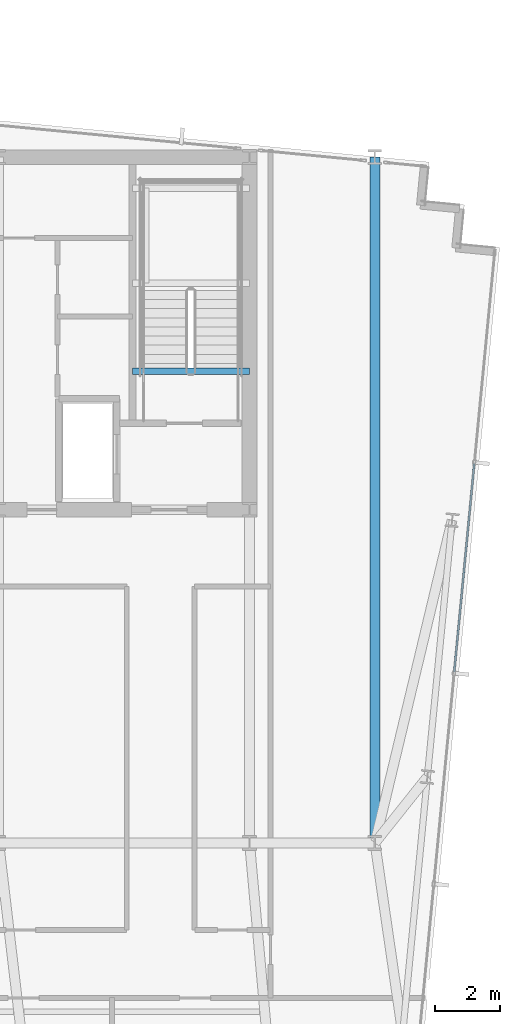
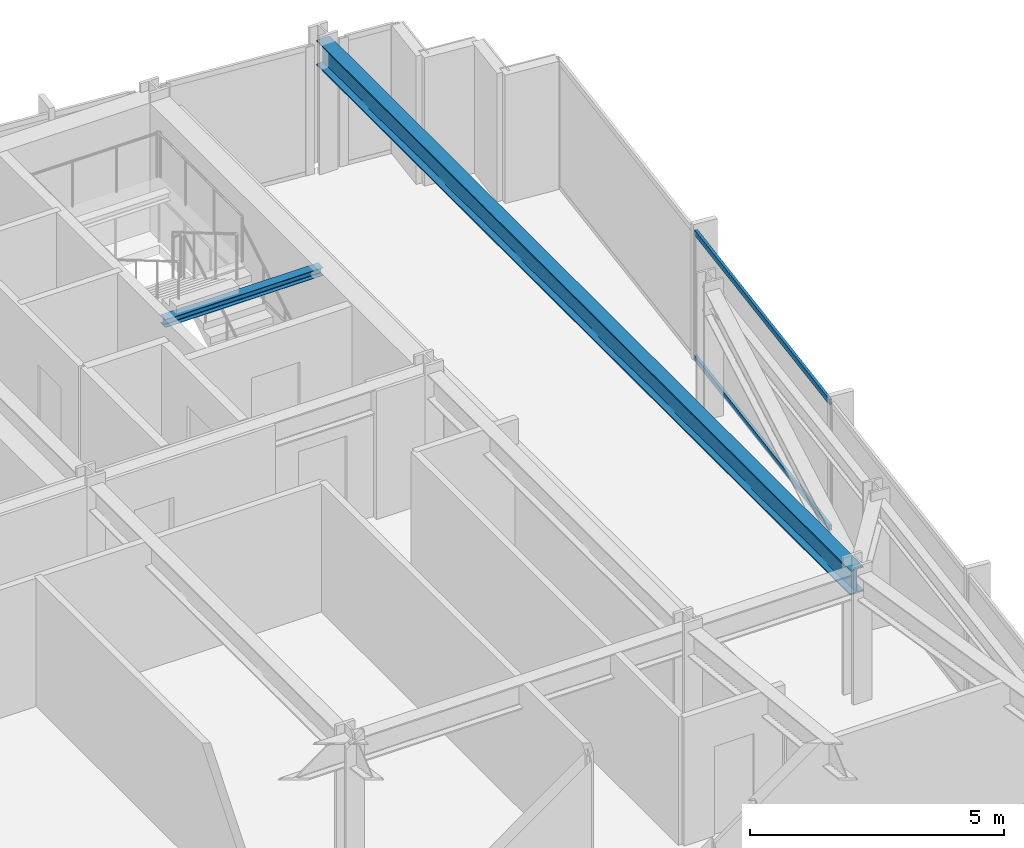
# One storey, part 19 of 38: 2 beams, 2 members, 1 element without a shape of its own.
"""IFC4 building model written with IfcOpenShell, lengths in metres."""

import ifcopenshell
import ifcopenshell.guid

model = None  # the IFC model being written
_history = None  # IfcOwnerHistory: only IFC2X3 demands one
_inside = {}  # id of a spatial element -> (the spatial element, [elements in it])
_under = {}  # id of a project, library or spatial element -> (it, [spatial elements below it])
_declared = {}  # id of a project -> (the project, [libraries it declares])
_typed = {}  # id of a type object -> (the type object, [elements of that type])
_made_of = {}  # id of a material, layer set ... -> (it, [elements and type objects made of it])


def new_model(schema):
    """Start an empty IFC model of exactly this schema.

    Asked for "IFC4X3", IfcOpenShell would pick the latest addendum, in which some entities
    have other attributes; the version numbers below select the first issue.
    IFC2X3 requires an IfcOwnerHistory on every rooted entity: one is made here for all.
    """
    global model, _history
    if schema == "IFC4X3":
        model = ifcopenshell.file(schema_version=(4, 3, 0, 0))
    else:
        model = ifcopenshell.file(schema=schema)
    _inside.clear()
    _under.clear()
    _declared.clear()
    _typed.clear()
    _made_of.clear()
    _history = None
    if model.schema == "IFC2X3":
        org = make("IfcOrganization", Name="unknown")
        user = make(
            "IfcPersonAndOrganization",
            ThePerson=make("IfcPerson", FamilyName="unknown"),
            TheOrganization=org,
        )
        app = make(
            "IfcApplication",
            ApplicationDeveloper=org,
            Version="unknown",
            ApplicationFullName="unknown",
            ApplicationIdentifier="unknown",
        )
        _history = make(
            "IfcOwnerHistory",
            OwningUser=user,
            OwningApplication=app,
            ChangeAction="ADDED",
            CreationDate=0,
        )
    return model


def make(cls, **values):
    """One entity of the class cls with the attributes given. An attribute that is None is left unset."""
    return model.create_entity(
        cls, **{name: value for name, value in values.items() if value is not None}
    )


def rooted(cls, **values):
    """An entity with a GlobalId (a new one), such as an element, a storey or a relation."""
    return make(cls, GlobalId=ifcopenshell.guid.new(), OwnerHistory=_history, **values)


def si_unit(unit_type, name, prefix=None):
    """IfcSIUnit, for example si_unit("LENGTHUNIT", "METRE", prefix="MILLI")."""
    return make("IfcSIUnit", UnitType=unit_type, Prefix=prefix, Name=name)


def assignment(units):
    """IfcUnitAssignment: the units of a project."""
    return None if units is None else make("IfcUnitAssignment", Units=units)


def point(xyz):
    """IfcCartesianPoint."""
    return None if xyz is None else make("IfcCartesianPoint", Coordinates=xyz)


def direction(xyz):
    """IfcDirection."""
    return None if xyz is None else make("IfcDirection", DirectionRatios=xyz)


def frame(location, z_axis=None, x_axis=None):
    """IfcAxis2Placement3D, a coordinate frame: its origin and axes. An axis left out is left unset."""
    return make(
        "IfcAxis2Placement3D",
        Location=point(location),
        Axis=direction(z_axis),
        RefDirection=direction(x_axis),
    )


def frame_2d(location, x_axis=None):
    """IfcAxis2Placement2D, a coordinate frame in the plane: its origin and x axis."""
    return make(
        "IfcAxis2Placement2D", Location=point(location), RefDirection=direction(x_axis)
    )


def origin():
    """The frame at (0, 0, 0) with its axes left unset."""
    return frame((0.0, 0.0, 0.0))


def origin_2d():
    """The frame at (0, 0) in the plane with its x axis left unset."""
    return frame_2d((0.0, 0.0))


def place(relative_to, where):
    """IfcLocalPlacement: puts the frame where relative to a parent placement (None: the world)."""
    return make(
        "IfcLocalPlacement", PlacementRelTo=relative_to, RelativePlacement=where
    )


def context(
    kind, dimensions, precision=None, world=None, true_north=None, identifier=None
):
    """IfcGeometricRepresentationContext, for example the 3D "Model" context."""
    return make(
        "IfcGeometricRepresentationContext",
        ContextIdentifier=identifier,
        ContextType=kind,
        CoordinateSpaceDimension=dimensions,
        Precision=precision,
        WorldCoordinateSystem=world,
        TrueNorth=true_north,
    )


def subcontext(parent, identifier, kind, view, scale=None):
    """IfcGeometricRepresentationSubContext, for example "Body" below "Model"."""
    return make(
        "IfcGeometricRepresentationSubContext",
        ContextIdentifier=identifier,
        ContextType=kind,
        ParentContext=parent,
        TargetScale=scale,
        TargetView=view,
    )


def project(units=None, contexts=None):
    """IfcProject with its units and contexts."""
    return rooted(
        "IfcProject",
        Name="project",
        RepresentationContexts=contexts,
        UnitsInContext=assignment(units),
    )


def spatial(cls, under=None, at=None, **own):
    """A site, building, storey or space (cls), placed at a placement, below another one or the project."""
    s = rooted(cls, ObjectPlacement=at, **own)
    if under is not None:
        _under.setdefault(under.id(), (under, []))[1].append(s)
    return s


def profile(cls, at=None, kind="AREA", **sizes):
    """A parametric profile (cls). Its sizes go by their IFC names, for example OverallWidth=200.0."""
    return make(cls, ProfileType=kind, Position=at, **sizes)


def hollow_rectangle(**sizes):
    """IfcRectangleHollowProfileDef."""
    return profile("IfcRectangleHollowProfileDef", **sizes)


def i_section(**sizes):
    """IfcIShapeProfileDef."""
    return profile("IfcIShapeProfileDef", **sizes)


def extrude(swept, where, along, depth):
    """IfcExtrudedAreaSolid: the profile swept, set in the frame where, extruded along a direction by depth."""
    return make(
        "IfcExtrudedAreaSolid",
        SweptArea=swept,
        Position=where,
        ExtrudedDirection=direction(along),
        Depth=depth,
    )


def shape(context_of_items, identifier, shape_type, items):
    """IfcShapeRepresentation: the items that make up one representation, for example the "Body"."""
    return make(
        "IfcShapeRepresentation",
        ContextOfItems=context_of_items,
        RepresentationIdentifier=identifier,
        RepresentationType=shape_type,
        Items=items,
    )


def material(Name=None, Category=None):
    """IfcMaterial."""
    return make("IfcMaterial", Name=Name, Category=Category)


def material_profile(
    of_material, cross_section, Name=None, Category=None, Priority=None
):
    """IfcMaterialProfile: a cross section and its material."""
    return make(
        "IfcMaterialProfile",
        Name=Name,
        Material=of_material,
        Profile=cross_section,
        Priority=Priority,
        Category=Category,
    )


def profile_set(profiles, Name=None, composite=None):
    """IfcMaterialProfileSet."""
    return make(
        "IfcMaterialProfileSet",
        Name=Name,
        MaterialProfiles=profiles,
        CompositeProfile=composite,
    )


def made_of(thing, what):
    """Note that an element or type object is made of a material, layer set ...; save() writes the relation."""
    if what is not None:
        _made_of.setdefault(what.id(), (what, []))[1].append(thing)
    return thing


def type_object(cls, material=None, **own):
    """A type object (cls), such as IfcWallType, which elements share."""
    return made_of(rooted(cls, **own), material)


def element(
    cls,
    number,
    at=None,
    inside=None,
    cuts=None,
    type_object=None,
    material=None,
    context=None,
    identifier="Body",
    shape_type=None,
    held_by="IfcProductDefinitionShape",
    body=None,
    shapes=None,
    **own,
):
    """One element of the class cls, such as IfcWall. Its Tag is "e" and its number.

    at: its placement. inside: the storey or other place that contains it. cuts: it is an
    opening in that element (IfcRelVoidsElement). A single representation is given by context,
    identifier, shape_type and body (its items); several are given by shapes. held_by: the class
    of the entity that holds the representations. save() writes the other relations.
    """
    e = rooted(cls, Tag="e%d" % number, ObjectPlacement=at, **own)
    if body is not None:
        shapes = [shape(context, identifier, shape_type, body)]
    if shapes is not None:
        e.Representation = make(held_by, Representations=shapes)
    if inside is not None:
        _inside.setdefault(inside.id(), (inside, []))[1].append(e)
    if cuts is not None:
        rooted(
            "IfcRelVoidsElement", RelatingBuildingElement=cuts, RelatedOpeningElement=e
        )
    if type_object is not None:
        _typed.setdefault(type_object.id(), (type_object, []))[1].append(e)
    return made_of(e, material)


def aggregate(whole, parts):
    """IfcRelAggregates: a whole, such as a stair, and the parts it consists of."""
    return rooted("IfcRelAggregates", RelatingObject=whole, RelatedObjects=parts)


def save(model, path):
    """Write the relations noted so far, then the file.

    IfcRelAggregates (storeys below a building ...), IfcRelContainedInSpatialStructure (elements
    in a storey), IfcRelDefinesByType, IfcRelAssociatesMaterial and IfcRelDeclares: one each for
    every whole, place, type object, material and project.
    """
    for whole, parts in _under.values():
        aggregate(whole, parts)
    for where, things in _inside.values():
        rooted(
            "IfcRelContainedInSpatialStructure",
            RelatedElements=things,
            RelatingStructure=where,
        )
    for kind, things in _typed.values():
        rooted("IfcRelDefinesByType", RelatedObjects=things, RelatingType=kind)
    for what, things in _made_of.values():
        rooted("IfcRelAssociatesMaterial", RelatedObjects=things, RelatingMaterial=what)
    for by, libraries in _declared.values():
        rooted("IfcRelDeclares", RelatingContext=by, RelatedDefinitions=libraries)
    model.write(path)


model = new_model("IFC4")

# Units and contexts
model_context = context("Model", 3, precision=1e-05, world=origin(), true_north=direction((0.0, 1.0)))
body_context = subcontext(model_context, "Body", "Model", "MODEL_VIEW")
ifc_project = project(units=[si_unit("LENGTHUNIT", "METRE"), si_unit("AREAUNIT", "SQUARE_METRE"), si_unit("VOLUMEUNIT", "CUBIC_METRE"), si_unit("PLANEANGLEUNIT", "RADIAN"), si_unit("MASSUNIT", "GRAM", prefix="KILO")], contexts=[model_context])

# Site, building, storey
site_placement = place(None, origin())
site = spatial("IfcSite", under=ifc_project, at=site_placement, CompositionType="ELEMENT")
building_placement = place(site_placement, origin())
building = spatial("IfcBuilding", under=site, at=building_placement, Name="Yelkora Congress Tower", CompositionType="ELEMENT")
storey_placement = place(building_placement, frame((0.0, 0.0, 185.300048828125)))
storey = spatial("IfcBuildingStorey", under=building, at=storey_placement, Name="L51", CompositionType="ELEMENT", Elevation=185.300048828125)

# Beams
ifc_material_1 = material(Name="Steel S355J2", Category="steel")
ifc_material_profile_1 = material_profile(ifc_material_1, i_section(OverallWidth=0.300048828125, OverallDepth=0.60009765625, WebThickness=0.015380859375, FlangeThickness=0.030029296875, FilletRadius=0.027099609375, at=origin_2d()), Name="HEB 600")
ifc_profile_set_1 = profile_set([ifc_material_profile_1], Name="Steel S355J2")
beam_type_1 = type_object("IfcBeamType", Name="BM-GIRD-HEB600", PredefinedType="BEAM", material=ifc_profile_set_1)
beam_1_placement = place(storey_placement, frame((57.60009765625, 25.199951171875, 2.780029296875), z_axis=(0.0, 1.0, 0.0), x_axis=(-1.0, 0.0, 0.0)))
element("IfcBeam", 1, at=beam_1_placement, inside=storey, type_object=beam_type_1, Name="L51 Neck Flank Girder MC-F2", PredefinedType="BEAM", context=body_context, shape_type="SweptSolid", body=[
    extrude(i_section(OverallWidth=0.300048828125, OverallDepth=0.60009765625, WebThickness=0.015380859375, FlangeThickness=0.030029296875, FilletRadius=0.027099609375, at=origin_2d()), origin(), (0.0, 0.0, 1.0), 21.0),
])
ifc_material_profile_2 = material_profile(ifc_material_1, i_section(OverallWidth=0.199951171875, OverallDepth=0.18994140625, WebThickness=0.006591796875, FlangeThickness=0.010009765625, FilletRadius=0.01806640625, at=origin_2d()), Name="HEA 200")
ifc_profile_set_2 = profile_set([ifc_material_profile_2], Name="Steel S355J2")
beam_type_2 = type_object("IfcBeamType", Name="BM-LAND-HEA200", PredefinedType="BEAM", material=ifc_profile_set_2)
beam_2_placement = place(storey_placement, frame((50.179931640625, 39.639892578125, 2.853759765625), z_axis=(1.0, 0.0, 0.0), x_axis=(0.0, 1.0, 0.0)))
element("IfcBeam", 2, at=beam_2_placement, inside=storey, type_object=beam_type_2, Name="ST-02 L51 Floor Arrival Stringer Header Beam", PredefinedType="BEAM", context=body_context, shape_type="SweptSolid", body=[
    extrude(i_section(OverallWidth=0.199951171875, OverallDepth=0.18994140625, WebThickness=0.006591796875, FlangeThickness=0.010009765625, FilletRadius=0.01806640625, at=origin_2d()), origin(), (0.0, 0.0, 1.0), 3.580078125),
])

# Curtain wall, members
ifc_material_2 = material(Name="Anodised aluminium and insulated glass", Category="aluminium")
curtain_wall_type = type_object("IfcCurtainWallType", Name="CW-SYS-B3", PredefinedType="NOTDEFINED", material=ifc_material_2)
curtain_wall_placement = place(storey_placement, origin())
curtain_wall = element("IfcCurtainWall", 3, at=curtain_wall_placement, inside=storey, type_object=curtain_wall_type, Name="L51 Unitised Curtain Wall 15", PredefinedType="NOTDEFINED")
ifc_material_3 = material(Name="Anodised aluminium 6063-T6", Category="aluminium")
ifc_material_profile_3 = material_profile(ifc_material_3, hollow_rectangle(XDim=0.06005859375, YDim=0.1298828125, WallThickness=0.00390625, at=origin_2d()), Name="ALU 60x130x4")
ifc_profile_set_3 = profile_set([ifc_material_profile_3], Name="Anodised aluminium 6063-T6")
member_type = type_object("IfcMemberType", Name="MEM-TR-B3", PredefinedType="USERDEFINED", material=ifc_profile_set_3)
member_1_placement = place(storey_placement, frame((60.642822265625, 36.81494140625, 0.030029296875), z_axis=(-0.095843682057, -0.995396397728, 0.0), x_axis=(0.995396397728, -0.095843682057, 0.0)))
member_1 = element("IfcMember", 4, at=member_1_placement, type_object=member_type, Name="CW-B3 transom 2.1", ObjectType="TRANSOM", PredefinedType="USERDEFINED", context=body_context, shape_type="SweptSolid", body=[
    extrude(hollow_rectangle(XDim=0.06005859375, YDim=0.1298828125, WallThickness=0.00390625, at=origin_2d()), origin(), (0.0, 0.0, 1.0), 6.4140625),
])
member_2_placement = place(storey_placement, frame((60.642822265625, 36.81494140625, 3.050048828125), z_axis=(-0.095843682057, -0.995396397728, 0.0), x_axis=(0.995396397728, -0.095843682057, 0.0)))
member_2 = element("IfcMember", 5, at=member_2_placement, type_object=member_type, Name="CW-B3 transom 2.2", ObjectType="TRANSOM", PredefinedType="USERDEFINED", context=body_context, shape_type="SweptSolid", body=[
    extrude(hollow_rectangle(XDim=0.06005859375, YDim=0.1298828125, WallThickness=0.00390625, at=origin_2d()), origin(), (0.0, 0.0, 1.0), 6.4140625),
])
aggregate(curtain_wall, [member_1, member_2])

save(model, "model.ifc")
